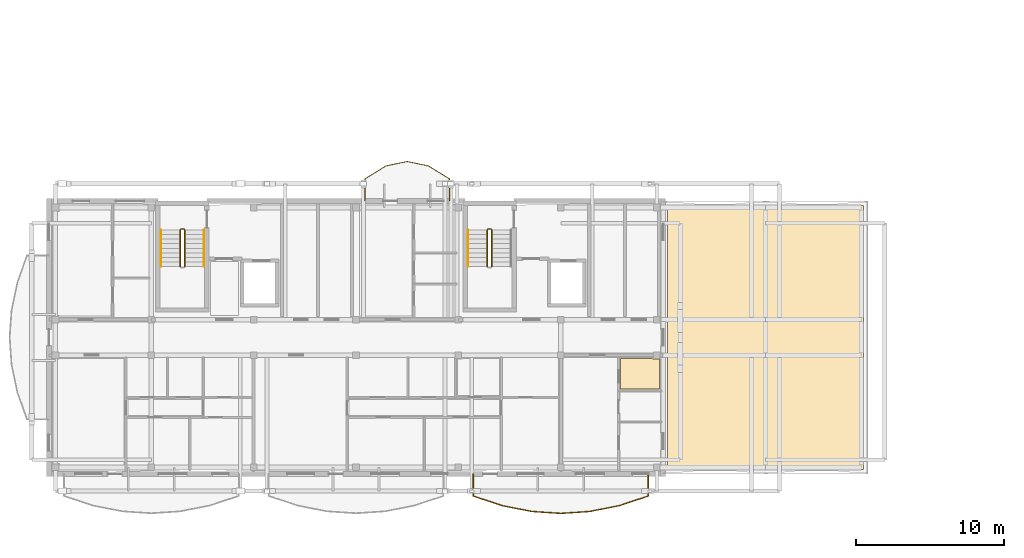
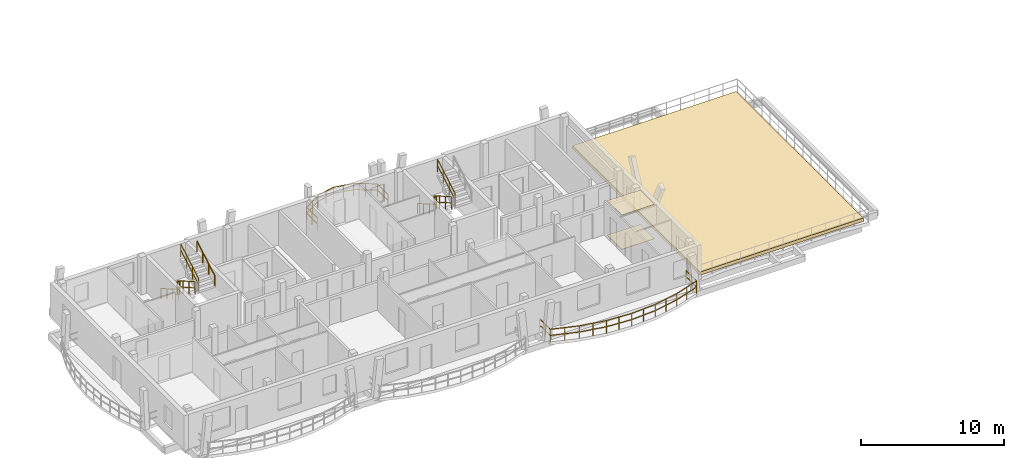
# One storey, part 27 of 33: 11 railings, 3 coverings.
"""IFC4 building model written with IfcOpenShell, lengths in metres."""

from ifc_helpers import new_model, si_unit, direction, frame, origin, origin_2d, place, context, subcontext, project, spatial, polyline, rectangle, outline, extrude, material, layer, layer_set, type_object, element, save


model = new_model("IFC4")

# Units and contexts
model_context = context("Model", 3, precision=1e-05, world=origin(), true_north=direction((0.0, 1.0)))
body_context = subcontext(model_context, "Body", "Model", "MODEL_VIEW")
ifc_project = project(units=[si_unit("LENGTHUNIT", "METRE"), si_unit("AREAUNIT", "SQUARE_METRE"), si_unit("VOLUMEUNIT", "CUBIC_METRE"), si_unit("PLANEANGLEUNIT", "RADIAN"), si_unit("MASSUNIT", "GRAM", prefix="KILO")], contexts=[model_context])

# Site, building, storey
site_placement = place(None, origin())
site = spatial("IfcSite", under=ifc_project, at=site_placement, CompositionType="ELEMENT")
building_placement = place(site_placement, origin())
building = spatial("IfcBuilding", under=site, at=building_placement, Name="Zavelmont Quarter", CompositionType="ELEMENT")
storey_placement = place(building_placement, frame((0.0, 0.0, 30.39990234375)))
storey = spatial("IfcBuildingStorey", under=building, at=storey_placement, Name="L09", CompositionType="ELEMENT", Elevation=30.39990234375)

# Coverings
ifc_material_1 = material(Name="Perforated acoustic gypsum board")
ifc_layer_1 = layer(ifc_material_1, 0.02490234375)
ifc_layer_set_1 = layer_set([ifc_layer_1], Name="Perforated acoustic gypsum board")
covering_type_1 = type_object("IfcCoveringType", Name="CV-CL01", PredefinedType="CEILING", material=ifc_layer_set_1)
covering_1_placement = place(storey_placement, frame((0.0, 0.0, 2.93505859375)))
element("IfcCovering", 1, at=covering_1_placement, inside=storey, type_object=covering_type_1, Name="L09 Kitchen acoustic ceiling", PredefinedType="CEILING", context=body_context, shape_type="SweptSolid", body=[
    extrude(outline(polyline([(38.530029296875, 7.77001953125), (40.695068359375, 7.77001953125), (40.695068359375, 7.735107421875), (41.169921875, 7.735107421875), (41.169921875, 5.72998046875), (38.530029296875, 5.72998046875), (38.530029296875, 7.77001953125)])), origin(), (0.0, 0.0, 1.0), 0.025146484375),
])
ifc_material_2 = material(Name="Engineered European oak parquet")
ifc_layer_2 = layer(ifc_material_2, 0.02197265625)
ifc_layer_set_2 = layer_set([ifc_layer_2], Name="Engineered European oak parquet")
covering_type_2 = type_object("IfcCoveringType", Name="CV-FL01", PredefinedType="FLOORING", material=ifc_layer_set_2)
covering_2_placement = place(storey_placement, origin())
element("IfcCovering", 2, at=covering_2_placement, inside=storey, type_object=covering_type_2, Name="L09 Kitchen floor finish", PredefinedType="FLOORING", context=body_context, shape_type="SweptSolid", body=[
    extrude(outline(polyline([(38.530029296875, 7.77001953125), (40.695068359375, 7.77001953125), (40.695068359375, 7.735107421875), (41.169921875, 7.735107421875), (41.169921875, 5.72998046875), (38.530029296875, 5.72998046875), (38.530029296875, 7.77001953125)])), origin(), (0.0, 0.0, 1.0), 0.022216796875),
])
ifc_material_3 = material(Name="EPDM waterproofing membrane and mineral insulation")
ifc_layer_3 = layer(ifc_material_3, 0.280029296875)
ifc_layer_set_3 = layer_set([ifc_layer_3], Name="EPDM waterproofing membrane and mineral insulation")
covering_type_3 = type_object("IfcCoveringType", Name="CV-RF02", PredefinedType="ROOFING", material=ifc_layer_set_3)
covering_3_placement = place(storey_placement, origin())
element("IfcCovering", 3, at=covering_3_placement, inside=storey, type_object=covering_type_3, Name="L09 roof build-up CV-RF02", PredefinedType="ROOFING", context=body_context, shape_type="SweptSolid", body=[
    extrude(outline(polyline([(41.699951171875, 0.300048828125), (54.89990234375, 0.300048828125), (54.89990234375, 18.10009765625), (41.699951171875, 18.10009765625), (41.699951171875, 0.300048828125)])), origin(), (0.0, 0.0, 1.0), 0.280029296875),
])

# Railings
ifc_material_4 = material(Name="Powder-coated steel and tempered double safety glass", Category="steel")
railing_type_1 = type_object("IfcRailingType", Name="RL-BAL1", PredefinedType="BALUSTRADE", material=ifc_material_4)
railing_1_placement = place(storey_placement, frame((28.5966796875, -0.02001953125, 0.0)))
element("IfcRailing", 4, at=railing_1_placement, inside=storey, type_object=railing_type_1, Name="L09 Block A curved balcony guard RL-BAL1", PredefinedType="BALUSTRADE", context=body_context, shape_type="SweptSolid", body=[
    extrude(rectangle(XDim=0.048095703125, YDim=0.048095703125, at=origin_2d()), frame((0.0, 0.0, 1.076171875), z_axis=(0.0, -1.0, 0.0), x_axis=(1.0, 0.0, 0.0)), (0.0, 0.0, 1.0), 1.47119140625),
    extrude(rectangle(XDim=0.048095703125, YDim=0.048095703125, at=origin_2d()), frame((0.0, 0.0, 0.550048828125), z_axis=(0.0, -1.0, 0.0), x_axis=(1.0, 0.0, 0.0)), (0.0, 0.0, 1.0), 1.47119140625),
    extrude(rectangle(XDim=0.048095703125, YDim=0.048095703125, at=origin_2d()), frame((0.0, -1.47119140625, 1.076171875), z_axis=(0.949411084309, -0.314035974041, 0.0), x_axis=(0.314035974041, 0.949411084309, 0.0)), (0.0, 0.0, 1.0), 2.072509765625),
    extrude(rectangle(XDim=0.048095703125, YDim=0.048095703125, at=origin_2d()), frame((0.0, -1.47119140625, 0.550048828125), z_axis=(0.949411084309, -0.314035974041, 0.0), x_axis=(0.314035974041, 0.949411084309, 0.0)), (0.0, 0.0, 1.0), 2.072509765625),
    extrude(rectangle(XDim=0.048095703125, YDim=0.048095703125, at=origin_2d()), frame((1.9677734375, -2.1220703125, 1.076171875), z_axis=(0.980860504591, -0.194711762698, 0.0), x_axis=(0.194711762698, 0.980860504591, 0.0)), (0.0, 0.0, 1.0), 2.006103515625),
    extrude(rectangle(XDim=0.048095703125, YDim=0.048095703125, at=origin_2d()), frame((1.9677734375, -2.1220703125, 0.550048828125), z_axis=(0.980860504591, -0.194711762698, 0.0), x_axis=(0.194711762698, 0.980860504591, 0.0)), (0.0, 0.0, 1.0), 2.006103515625),
    extrude(rectangle(XDim=0.048095703125, YDim=0.048095703125, at=origin_2d()), frame((3.935546875, -2.5126953125, 1.076171875), z_axis=(0.997812462231, -0.066108170575, 0.0), x_axis=(0.066108170575, 0.997812462231, 0.0)), (0.0, 0.0, 1.0), 1.97216796875),
    extrude(rectangle(XDim=0.048095703125, YDim=0.048095703125, at=origin_2d()), frame((3.935546875, -2.5126953125, 0.550048828125), z_axis=(0.997812462231, -0.066108170575, 0.0), x_axis=(0.066108170575, 0.997812462231, 0.0)), (0.0, 0.0, 1.0), 1.97216796875),
    extrude(rectangle(XDim=0.048095703125, YDim=0.048095703125, at=origin_2d()), frame((5.9033203125, -2.64306640625, 1.076171875), z_axis=(0.997812462231, 0.066108170575, 0.0), x_axis=(-0.066108170575, 0.997812462231, 0.0)), (0.0, 0.0, 1.0), 1.97216796875),
    extrude(rectangle(XDim=0.048095703125, YDim=0.048095703125, at=origin_2d()), frame((5.9033203125, -2.64306640625, 0.550048828125), z_axis=(0.997812462231, 0.066108170575, 0.0), x_axis=(-0.066108170575, 0.997812462231, 0.0)), (0.0, 0.0, 1.0), 1.97216796875),
    extrude(rectangle(XDim=0.048095703125, YDim=0.048095703125, at=origin_2d()), frame((7.87109375, -2.5126953125, 1.076171875), z_axis=(0.980860504591, 0.194711762698, 0.0), x_axis=(-0.194711762698, 0.980860504591, 0.0)), (0.0, 0.0, 1.0), 2.006103515625),
    extrude(rectangle(XDim=0.048095703125, YDim=0.048095703125, at=origin_2d()), frame((7.87109375, -2.5126953125, 0.550048828125), z_axis=(0.980860504591, 0.194711762698, 0.0), x_axis=(-0.194711762698, 0.980860504591, 0.0)), (0.0, 0.0, 1.0), 2.006103515625),
    extrude(rectangle(XDim=0.048095703125, YDim=0.048095703125, at=origin_2d()), frame((9.8388671875, -2.1220703125, 1.076171875), z_axis=(0.949411084309, 0.314035974041, 0.0), x_axis=(-0.314035974041, 0.949411084309, 0.0)), (0.0, 0.0, 1.0), 2.072509765625),
    extrude(rectangle(XDim=0.048095703125, YDim=0.048095703125, at=origin_2d()), frame((9.8388671875, -2.1220703125, 0.550048828125), z_axis=(0.949411084309, 0.314035974041, 0.0), x_axis=(-0.314035974041, 0.949411084309, 0.0)), (0.0, 0.0, 1.0), 2.072509765625),
    extrude(rectangle(XDim=0.048095703125, YDim=0.048095703125, at=origin_2d()), frame((11.806640625, -1.47119140625, 1.076171875), z_axis=(0.0, 1.0, 0.0), x_axis=(-1.0, 0.0, 0.0)), (0.0, 0.0, 1.0), 1.47119140625),
    extrude(rectangle(XDim=0.048095703125, YDim=0.048095703125, at=origin_2d()), frame((11.806640625, -1.47119140625, 0.550048828125), z_axis=(0.0, 1.0, 0.0), x_axis=(-1.0, 0.0, 0.0)), (0.0, 0.0, 1.0), 1.47119140625),
    extrude(rectangle(XDim=0.0419921875, YDim=0.0419921875, at=origin_2d()), origin(), (0.0, 0.0, 1.0), 1.052001953125),
    extrude(rectangle(XDim=0.0419921875, YDim=0.0419921875, at=origin_2d()), frame((0.0, -0.735595703125, 0.0)), (0.0, 0.0, 1.0), 1.052001953125),
    extrude(rectangle(XDim=0.0419921875, YDim=0.0419921875, at=origin_2d()), frame((0.0, -1.47119140625, 0.0)), (0.0, 0.0, 1.0), 1.052001953125),
    extrude(rectangle(XDim=0.0419921875, YDim=0.0419921875, at=origin_2d()), frame((0.98388671875, -1.796630859375, 0.0)), (0.0, 0.0, 1.0), 1.052001953125),
    extrude(rectangle(XDim=0.0419921875, YDim=0.0419921875, at=origin_2d()), frame((1.9677734375, -2.1220703125, 0.0)), (0.0, 0.0, 1.0), 1.052001953125),
    extrude(rectangle(XDim=0.0419921875, YDim=0.0419921875, at=origin_2d()), frame((2.95166015625, -2.3173828125, 0.0)), (0.0, 0.0, 1.0), 1.052001953125),
    extrude(rectangle(XDim=0.0419921875, YDim=0.0419921875, at=origin_2d()), frame((3.935546875, -2.5126953125, 0.0)), (0.0, 0.0, 1.0), 1.052001953125),
    extrude(rectangle(XDim=0.0419921875, YDim=0.0419921875, at=origin_2d()), frame((4.91943359375, -2.577880859375, 0.0)), (0.0, 0.0, 1.0), 1.052001953125),
    extrude(rectangle(XDim=0.0419921875, YDim=0.0419921875, at=origin_2d()), frame((5.9033203125, -2.64306640625, 0.0)), (0.0, 0.0, 1.0), 1.052001953125),
    extrude(rectangle(XDim=0.0419921875, YDim=0.0419921875, at=origin_2d()), frame((6.88720703125, -2.577880859375, 0.0)), (0.0, 0.0, 1.0), 1.052001953125),
    extrude(rectangle(XDim=0.0419921875, YDim=0.0419921875, at=origin_2d()), frame((7.87109375, -2.5126953125, 0.0)), (0.0, 0.0, 1.0), 1.052001953125),
    extrude(rectangle(XDim=0.0419921875, YDim=0.0419921875, at=origin_2d()), frame((8.85498046875, -2.3173828125, 0.0)), (0.0, 0.0, 1.0), 1.052001953125),
    extrude(rectangle(XDim=0.0419921875, YDim=0.0419921875, at=origin_2d()), frame((9.8388671875, -2.1220703125, 0.0)), (0.0, 0.0, 1.0), 1.052001953125),
    extrude(rectangle(XDim=0.0419921875, YDim=0.0419921875, at=origin_2d()), frame((10.82275390625, -1.796630859375, 0.0)), (0.0, 0.0, 1.0), 1.052001953125),
    extrude(rectangle(XDim=0.0419921875, YDim=0.0419921875, at=origin_2d()), frame((11.806640625, -1.47119140625, 0.0)), (0.0, 0.0, 1.0), 1.052001953125),
    extrude(rectangle(XDim=0.0419921875, YDim=0.0419921875, at=origin_2d()), frame((11.806640625, -0.735595703125, 0.0)), (0.0, 0.0, 1.0), 1.052001953125),
    extrude(rectangle(XDim=0.0419921875, YDim=0.0419921875, at=origin_2d()), frame((11.806640625, 0.0, 0.0)), (0.0, 0.0, 1.0), 1.052001953125),
])
railing_2_placement = place(storey_placement, frame((27.0, 18.419921875, 0.0)))
element("IfcRailing", 5, at=railing_2_placement, inside=storey, type_object=railing_type_1, Name="L09 Block A curved balcony guard RL-BAL1", PredefinedType="BALUSTRADE", context=body_context, shape_type="SweptSolid", body=[
    extrude(rectangle(XDim=0.048095703125, YDim=0.048095703125, at=origin_2d()), frame((0.0, 0.0, 1.076171875), z_axis=(0.0, 1.0, 0.0), x_axis=(-1.0, 0.0, 0.0)), (0.0, 0.0, 1.0), 1.471435546875),
    extrude(rectangle(XDim=0.048095703125, YDim=0.048095703125, at=origin_2d()), frame((0.0, 0.0, 0.550048828125), z_axis=(0.0, 1.0, 0.0), x_axis=(-1.0, 0.0, 0.0)), (0.0, 0.0, 1.0), 1.471435546875),
    extrude(rectangle(XDim=0.048095703125, YDim=0.048095703125, at=origin_2d()), frame((0.0, 1.471435546875, 1.076171875), z_axis=(-0.851202358278, 0.524837637047, 0.0), x_axis=(-0.524837637047, -0.851202358278, 0.0)), (0.0, 0.0, 1.0), 1.674072265625),
    extrude(rectangle(XDim=0.048095703125, YDim=0.048095703125, at=origin_2d()), frame((0.0, 1.471435546875, 0.550048828125), z_axis=(-0.851202358278, 0.524837637047, 0.0), x_axis=(-0.524837637047, -0.851202358278, 0.0)), (0.0, 0.0, 1.0), 1.674072265625),
    extrude(rectangle(XDim=0.048095703125, YDim=0.048095703125, at=origin_2d()), frame((-1.425048828125, 2.35009765625, 1.076171875), z_axis=(-0.979514518823, 0.201373551925, 0.0), x_axis=(-0.201373551925, -0.979514518823, 0.0)), (0.0, 0.0, 1.0), 1.454833984375),
    extrude(rectangle(XDim=0.048095703125, YDim=0.048095703125, at=origin_2d()), frame((-1.425048828125, 2.35009765625, 0.550048828125), z_axis=(-0.979514518823, 0.201373551925, 0.0), x_axis=(-0.201373551925, -0.979514518823, 0.0)), (0.0, 0.0, 1.0), 1.454833984375),
    extrude(rectangle(XDim=0.048095703125, YDim=0.048095703125, at=origin_2d()), frame((-2.85009765625, 2.64306640625, 1.076171875), z_axis=(-0.979507712177, -0.201406657747, 0.0), x_axis=(0.201406657747, -0.979507712177, 0.0)), (0.0, 0.0, 1.0), 1.45458984375),
    extrude(rectangle(XDim=0.048095703125, YDim=0.048095703125, at=origin_2d()), frame((-2.85009765625, 2.64306640625, 0.550048828125), z_axis=(-0.979507712177, -0.201406657747, 0.0), x_axis=(0.201406657747, -0.979507712177, 0.0)), (0.0, 0.0, 1.0), 1.45458984375),
    extrude(rectangle(XDim=0.048095703125, YDim=0.048095703125, at=origin_2d()), frame((-4.27490234375, 2.35009765625, 1.076171875), z_axis=(-0.851202358278, -0.524837637047, 0.0), x_axis=(0.524837637047, -0.851202358278, 0.0)), (0.0, 0.0, 1.0), 1.674072265625),
    extrude(rectangle(XDim=0.048095703125, YDim=0.048095703125, at=origin_2d()), frame((-4.27490234375, 2.35009765625, 0.550048828125), z_axis=(-0.851202358278, -0.524837637047, 0.0), x_axis=(0.524837637047, -0.851202358278, 0.0)), (0.0, 0.0, 1.0), 1.674072265625),
    extrude(rectangle(XDim=0.048095703125, YDim=0.048095703125, at=origin_2d()), frame((-5.699951171875, 1.471435546875, 1.076171875), z_axis=(0.0, -1.0, 0.0), x_axis=(1.0, 0.0, 0.0)), (0.0, 0.0, 1.0), 1.471435546875),
    extrude(rectangle(XDim=0.048095703125, YDim=0.048095703125, at=origin_2d()), frame((-5.699951171875, 1.471435546875, 0.550048828125), z_axis=(0.0, -1.0, 0.0), x_axis=(1.0, 0.0, 0.0)), (0.0, 0.0, 1.0), 1.471435546875),
    extrude(rectangle(XDim=0.0419921875, YDim=0.0419921875, at=origin_2d()), origin(), (0.0, 0.0, 1.0), 1.052001953125),
    extrude(rectangle(XDim=0.0419921875, YDim=0.0419921875, at=origin_2d()), frame((0.0, 0.73583984375, 0.0)), (0.0, 0.0, 1.0), 1.052001953125),
    extrude(rectangle(XDim=0.0419921875, YDim=0.0419921875, at=origin_2d()), frame((0.0, 1.471435546875, 0.0)), (0.0, 0.0, 1.0), 1.052001953125),
    extrude(rectangle(XDim=0.0419921875, YDim=0.0419921875, at=origin_2d()), frame((-0.71240234375, 1.91064453125, 0.0)), (0.0, 0.0, 1.0), 1.052001953125),
    extrude(rectangle(XDim=0.0419921875, YDim=0.0419921875, at=origin_2d()), frame((-1.425048828125, 2.35009765625, 0.0)), (0.0, 0.0, 1.0), 1.052001953125),
    extrude(rectangle(XDim=0.0419921875, YDim=0.0419921875, at=origin_2d()), frame((-2.1376953125, 2.49658203125, 0.0)), (0.0, 0.0, 1.0), 1.052001953125),
    extrude(rectangle(XDim=0.0419921875, YDim=0.0419921875, at=origin_2d()), frame((-2.85009765625, 2.64306640625, 0.0)), (0.0, 0.0, 1.0), 1.052001953125),
    extrude(rectangle(XDim=0.0419921875, YDim=0.0419921875, at=origin_2d()), frame((-3.5625, 2.49658203125, 0.0)), (0.0, 0.0, 1.0), 1.052001953125),
    extrude(rectangle(XDim=0.0419921875, YDim=0.0419921875, at=origin_2d()), frame((-4.27490234375, 2.35009765625, 0.0)), (0.0, 0.0, 1.0), 1.052001953125),
    extrude(rectangle(XDim=0.0419921875, YDim=0.0419921875, at=origin_2d()), frame((-4.9873046875, 1.91064453125, 0.0)), (0.0, 0.0, 1.0), 1.052001953125),
    extrude(rectangle(XDim=0.0419921875, YDim=0.0419921875, at=origin_2d()), frame((-5.699951171875, 1.471435546875, 0.0)), (0.0, 0.0, 1.0), 1.052001953125),
    extrude(rectangle(XDim=0.0419921875, YDim=0.0419921875, at=origin_2d()), frame((-5.699951171875, 0.73583984375, 0.0)), (0.0, 0.0, 1.0), 1.052001953125),
    extrude(rectangle(XDim=0.0419921875, YDim=0.0419921875, at=origin_2d()), frame((-5.699951171875, 0.0, 0.0)), (0.0, 0.0, 1.0), 1.052001953125),
])
ifc_material_5 = material(Name="Powder-coated steel stair guardrail", Category="steel")
railing_type_2 = type_object("IfcRailingType", Name="RL-GRD1", PredefinedType="GUARDRAIL", material=ifc_material_5)
railing_3_placement = place(storey_placement, frame((8.85009765625, 16.449951171875, 0.177978515625)))
element("IfcRailing", 6, at=railing_3_placement, inside=storey, type_object=railing_type_2, Name="L09 ST01 stair guardrail 1", PredefinedType="GUARDRAIL", context=body_context, shape_type="SweptSolid", body=[
    extrude(rectangle(XDim=0.048095703125, YDim=0.048095703125, at=origin_2d()), frame((0.0, 0.0, 1.076171875), z_axis=(0.0, -0.867490628297, 0.497453525283), x_axis=(1.0, 0.0, 0.0)), (0.0, 0.0, 1.0), 2.85888671875),
    extrude(rectangle(XDim=0.048095703125, YDim=0.048095703125, at=origin_2d()), frame((0.0, 0.0, 0.550048828125), z_axis=(0.0, -0.867490628297, 0.497453525283), x_axis=(1.0, 0.0, 0.0)), (0.0, 0.0, 1.0), 2.85888671875),
    extrude(rectangle(XDim=0.0419921875, YDim=0.0419921875, at=origin_2d()), origin(), (0.0, 0.0, 1.0), 1.052001953125),
    extrude(rectangle(XDim=0.0419921875, YDim=0.0419921875, at=origin_2d()), frame((0.0, -0.82666015625, 0.47412109375)), (0.0, 0.0, 1.0), 1.052001953125),
    extrude(rectangle(XDim=0.0419921875, YDim=0.0419921875, at=origin_2d()), frame((0.0, -1.6533203125, 0.947998046875)), (0.0, 0.0, 1.0), 1.052001953125),
    extrude(rectangle(XDim=0.0419921875, YDim=0.0419921875, at=origin_2d()), frame((0.0, -2.47998046875, 1.422119140625)), (0.0, 0.0, 1.0), 1.052001953125),
])
railing_4_placement = place(storey_placement, frame((9.14990234375, 13.969970703125, 1.77783203125)))
element("IfcRailing", 7, at=railing_4_placement, inside=storey, type_object=railing_type_2, Name="L09 ST01 stair guardrail 3", PredefinedType="GUARDRAIL", context=body_context, shape_type="SweptSolid", body=[
    extrude(rectangle(XDim=0.048095703125, YDim=0.048095703125, at=origin_2d()), frame((0.0, 0.0, 1.076171875), z_axis=(0.0, 0.867453774394, 0.497517787913), x_axis=(-1.0, 0.0, 0.0)), (0.0, 0.0, 1.0), 2.85888671875),
    extrude(rectangle(XDim=0.048095703125, YDim=0.048095703125, at=origin_2d()), frame((0.0, 0.0, 0.550048828125), z_axis=(0.0, 0.867453774394, 0.497517787913), x_axis=(-1.0, 0.0, 0.0)), (0.0, 0.0, 1.0), 2.85888671875),
    extrude(rectangle(XDim=0.0419921875, YDim=0.0419921875, at=origin_2d()), origin(), (0.0, 0.0, 1.0), 1.052001953125),
    extrude(rectangle(XDim=0.0419921875, YDim=0.0419921875, at=origin_2d()), frame((0.0, 0.82666015625, 0.47412109375)), (0.0, 0.0, 1.0), 1.052001953125),
    extrude(rectangle(XDim=0.0419921875, YDim=0.0419921875, at=origin_2d()), frame((0.0, 1.6533203125, 0.9482421875)), (0.0, 0.0, 1.0), 1.052001953125),
    extrude(rectangle(XDim=0.0419921875, YDim=0.0419921875, at=origin_2d()), frame((0.0, 2.47998046875, 1.42236328125)), (0.0, 0.0, 1.0), 1.052001953125),
])
railing_5_placement = place(storey_placement, frame((8.89990234375, 16.5, 0.0)))
element("IfcRailing", 8, at=railing_5_placement, inside=storey, type_object=railing_type_2, Name="L09 ST01 stair guardrail 4", PredefinedType="GUARDRAIL", context=body_context, shape_type="SweptSolid", body=[
    extrude(rectangle(XDim=0.048095703125, YDim=0.048095703125, at=origin_2d()), frame((0.0, 0.0, 1.076171875), z_axis=(1.0, 0.0, 0.0), x_axis=(0.0, 1.0, 0.0)), (0.0, 0.0, 1.0), 0.2001953125),
    extrude(rectangle(XDim=0.048095703125, YDim=0.048095703125, at=origin_2d()), frame((0.0, 0.0, 0.550048828125), z_axis=(1.0, 0.0, 0.0), x_axis=(0.0, 1.0, 0.0)), (0.0, 0.0, 1.0), 0.2001953125),
    extrude(rectangle(XDim=0.0419921875, YDim=0.0419921875, at=origin_2d()), origin(), (0.0, 0.0, 1.0), 1.052001953125),
    extrude(rectangle(XDim=0.0419921875, YDim=0.0419921875, at=origin_2d()), frame((0.2001953125, 0.0, 0.0)), (0.0, 0.0, 1.0), 1.052001953125),
])
railing_6_placement = place(storey_placement, frame((29.550048828125, 16.449951171875, 0.177978515625)))
element("IfcRailing", 9, at=railing_6_placement, inside=storey, type_object=railing_type_2, Name="L09 ST02 stair guardrail 1", PredefinedType="GUARDRAIL", context=body_context, shape_type="SweptSolid", body=[
    extrude(rectangle(XDim=0.048095703125, YDim=0.048095703125, at=origin_2d()), frame((0.0, 0.0, 1.076171875), z_axis=(0.0, -0.867490628297, 0.497453525283), x_axis=(1.0, 0.0, 0.0)), (0.0, 0.0, 1.0), 2.85888671875),
    extrude(rectangle(XDim=0.048095703125, YDim=0.048095703125, at=origin_2d()), frame((0.0, 0.0, 0.550048828125), z_axis=(0.0, -0.867490628297, 0.497453525283), x_axis=(1.0, 0.0, 0.0)), (0.0, 0.0, 1.0), 2.85888671875),
    extrude(rectangle(XDim=0.0419921875, YDim=0.0419921875, at=origin_2d()), origin(), (0.0, 0.0, 1.0), 1.052001953125),
    extrude(rectangle(XDim=0.0419921875, YDim=0.0419921875, at=origin_2d()), frame((0.0, -0.82666015625, 0.47412109375)), (0.0, 0.0, 1.0), 1.052001953125),
    extrude(rectangle(XDim=0.0419921875, YDim=0.0419921875, at=origin_2d()), frame((0.0, -1.6533203125, 0.947998046875)), (0.0, 0.0, 1.0), 1.052001953125),
    extrude(rectangle(XDim=0.0419921875, YDim=0.0419921875, at=origin_2d()), frame((0.0, -2.47998046875, 1.422119140625)), (0.0, 0.0, 1.0), 1.052001953125),
])
railing_7_placement = place(storey_placement, frame((29.85009765625, 13.969970703125, 1.77783203125)))
element("IfcRailing", 10, at=railing_7_placement, inside=storey, type_object=railing_type_2, Name="L09 ST02 stair guardrail 3", PredefinedType="GUARDRAIL", context=body_context, shape_type="SweptSolid", body=[
    extrude(rectangle(XDim=0.048095703125, YDim=0.048095703125, at=origin_2d()), frame((0.0, 0.0, 1.076171875), z_axis=(0.0, 0.867453774394, 0.497517787913), x_axis=(-1.0, 0.0, 0.0)), (0.0, 0.0, 1.0), 2.85888671875),
    extrude(rectangle(XDim=0.048095703125, YDim=0.048095703125, at=origin_2d()), frame((0.0, 0.0, 0.550048828125), z_axis=(0.0, 0.867453774394, 0.497517787913), x_axis=(-1.0, 0.0, 0.0)), (0.0, 0.0, 1.0), 2.85888671875),
    extrude(rectangle(XDim=0.0419921875, YDim=0.0419921875, at=origin_2d()), origin(), (0.0, 0.0, 1.0), 1.052001953125),
    extrude(rectangle(XDim=0.0419921875, YDim=0.0419921875, at=origin_2d()), frame((0.0, 0.82666015625, 0.47412109375)), (0.0, 0.0, 1.0), 1.052001953125),
    extrude(rectangle(XDim=0.0419921875, YDim=0.0419921875, at=origin_2d()), frame((0.0, 1.6533203125, 0.9482421875)), (0.0, 0.0, 1.0), 1.052001953125),
    extrude(rectangle(XDim=0.0419921875, YDim=0.0419921875, at=origin_2d()), frame((0.0, 2.47998046875, 1.42236328125)), (0.0, 0.0, 1.0), 1.052001953125),
])
railing_8_placement = place(storey_placement, frame((29.60009765625, 16.5, 0.0)))
element("IfcRailing", 11, at=railing_8_placement, inside=storey, type_object=railing_type_2, Name="L09 ST02 stair guardrail 4", PredefinedType="GUARDRAIL", context=body_context, shape_type="SweptSolid", body=[
    extrude(rectangle(XDim=0.048095703125, YDim=0.048095703125, at=origin_2d()), frame((0.0, 0.0, 1.076171875), z_axis=(1.0, 0.0, 0.0), x_axis=(0.0, 1.0, 0.0)), (0.0, 0.0, 1.0), 0.199951171875),
    extrude(rectangle(XDim=0.048095703125, YDim=0.048095703125, at=origin_2d()), frame((0.0, 0.0, 0.550048828125), z_axis=(1.0, 0.0, 0.0), x_axis=(0.0, 1.0, 0.0)), (0.0, 0.0, 1.0), 0.199951171875),
    extrude(rectangle(XDim=0.0419921875, YDim=0.0419921875, at=origin_2d()), origin(), (0.0, 0.0, 1.0), 1.052001953125),
    extrude(rectangle(XDim=0.0419921875, YDim=0.0419921875, at=origin_2d()), frame((0.199951171875, 0.0, 0.0)), (0.0, 0.0, 1.0), 1.052001953125),
])
ifc_material_6 = material(Name="Brushed stainless-steel wall handrail", Category="steel")
railing_type_3 = type_object("IfcRailingType", Name="RL-HND1", PredefinedType="HANDRAIL", material=ifc_material_6)
railing_9_placement = place(storey_placement, frame((7.550048828125, 16.449951171875, 0.177978515625)))
element("IfcRailing", 12, at=railing_9_placement, inside=storey, type_object=railing_type_3, Name="L09 ST01 stair handrail 1", PredefinedType="HANDRAIL", context=body_context, shape_type="SweptSolid", body=[
    extrude(rectangle(XDim=0.048095703125, YDim=0.048095703125, at=origin_2d()), frame((0.0, 0.0, 0.8759765625), z_axis=(0.0, -0.867490628297, 0.497453525283), x_axis=(1.0, 0.0, 0.0)), (0.0, 0.0, 1.0), 2.85888671875),
    extrude(rectangle(XDim=0.0419921875, YDim=0.0419921875, at=origin_2d()), origin(), (0.0, 0.0, 1.0), 0.851806640625),
    extrude(rectangle(XDim=0.0419921875, YDim=0.0419921875, at=origin_2d()), frame((0.0, -0.82666015625, 0.47412109375)), (0.0, 0.0, 1.0), 0.851806640625),
    extrude(rectangle(XDim=0.0419921875, YDim=0.0419921875, at=origin_2d()), frame((0.0, -1.6533203125, 0.947998046875)), (0.0, 0.0, 1.0), 0.851806640625),
    extrude(rectangle(XDim=0.0419921875, YDim=0.0419921875, at=origin_2d()), frame((0.0, -2.47998046875, 1.422119140625)), (0.0, 0.0, 1.0), 0.851806640625),
])
railing_10_placement = place(storey_placement, frame((10.449951171875, 13.969970703125, 1.77783203125)))
element("IfcRailing", 13, at=railing_10_placement, inside=storey, type_object=railing_type_3, Name="L09 ST01 stair handrail 2", PredefinedType="HANDRAIL", context=body_context, shape_type="SweptSolid", body=[
    extrude(rectangle(XDim=0.048095703125, YDim=0.048095703125, at=origin_2d()), frame((0.0, 0.0, 0.8759765625), z_axis=(0.0, 0.867453774394, 0.497517787913), x_axis=(-1.0, 0.0, 0.0)), (0.0, 0.0, 1.0), 2.85888671875),
    extrude(rectangle(XDim=0.0419921875, YDim=0.0419921875, at=origin_2d()), origin(), (0.0, 0.0, 1.0), 0.851806640625),
    extrude(rectangle(XDim=0.0419921875, YDim=0.0419921875, at=origin_2d()), frame((0.0, 0.82666015625, 0.47412109375)), (0.0, 0.0, 1.0), 0.851806640625),
    extrude(rectangle(XDim=0.0419921875, YDim=0.0419921875, at=origin_2d()), frame((0.0, 1.6533203125, 0.9482421875)), (0.0, 0.0, 1.0), 0.851806640625),
    extrude(rectangle(XDim=0.0419921875, YDim=0.0419921875, at=origin_2d()), frame((0.0, 2.47998046875, 1.42236328125)), (0.0, 0.0, 1.0), 0.851806640625),
])
railing_11_placement = place(storey_placement, frame((28.25, 16.449951171875, 0.177978515625)))
element("IfcRailing", 14, at=railing_11_placement, inside=storey, type_object=railing_type_3, Name="L09 ST02 stair handrail 1", PredefinedType="HANDRAIL", context=body_context, shape_type="SweptSolid", body=[
    extrude(rectangle(XDim=0.048095703125, YDim=0.048095703125, at=origin_2d()), frame((0.0, 0.0, 0.8759765625), z_axis=(0.0, -0.867490628297, 0.497453525283), x_axis=(1.0, 0.0, 0.0)), (0.0, 0.0, 1.0), 2.85888671875),
    extrude(rectangle(XDim=0.0419921875, YDim=0.0419921875, at=origin_2d()), origin(), (0.0, 0.0, 1.0), 0.851806640625),
    extrude(rectangle(XDim=0.0419921875, YDim=0.0419921875, at=origin_2d()), frame((0.0, -0.82666015625, 0.47412109375)), (0.0, 0.0, 1.0), 0.851806640625),
    extrude(rectangle(XDim=0.0419921875, YDim=0.0419921875, at=origin_2d()), frame((0.0, -1.6533203125, 0.947998046875)), (0.0, 0.0, 1.0), 0.851806640625),
    extrude(rectangle(XDim=0.0419921875, YDim=0.0419921875, at=origin_2d()), frame((0.0, -2.47998046875, 1.422119140625)), (0.0, 0.0, 1.0), 0.851806640625),
])

save(model, "model.ifc")
